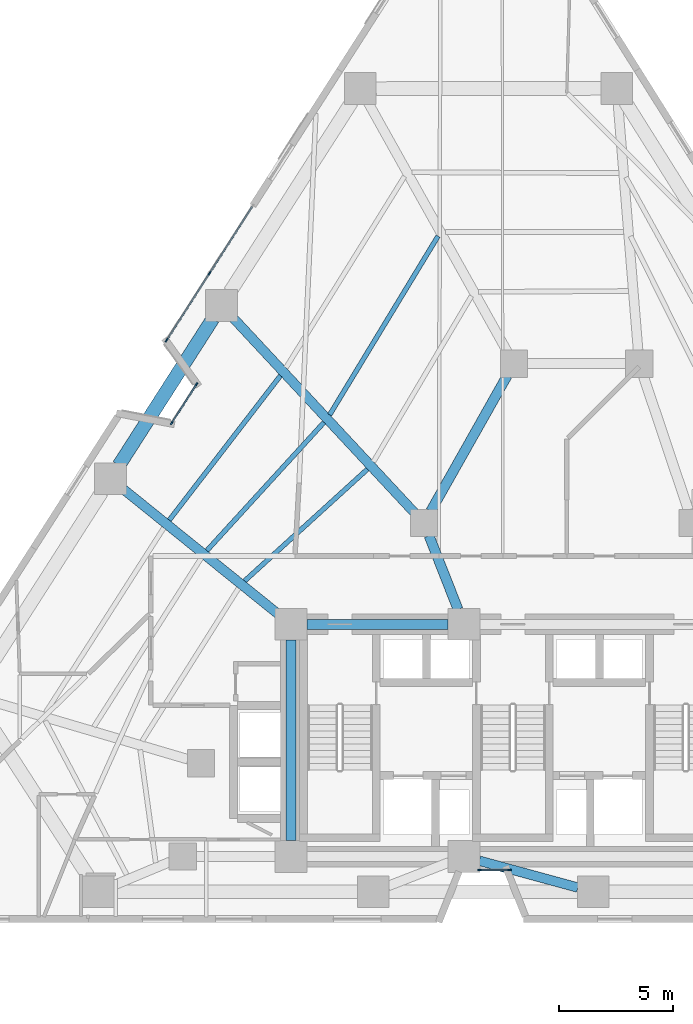
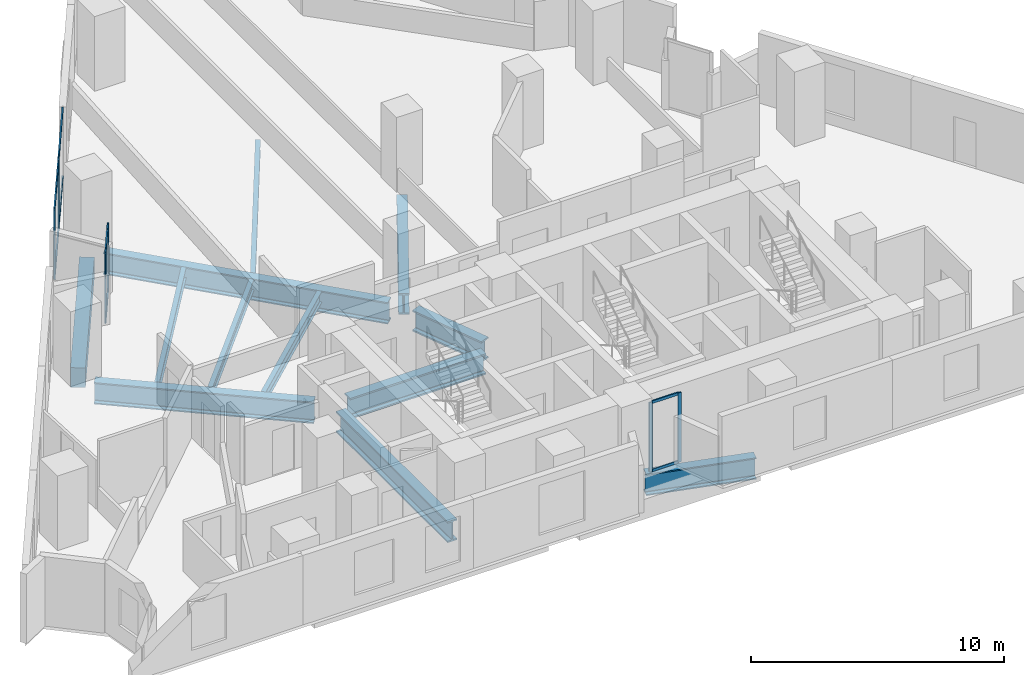
# One storey, part 2 of 12: 14 members, 12 beams, 3 elements without a shape of their own.
"""IFC4 building model written with IfcOpenShell, lengths in metres."""

from ifc_helpers import new_model, si_unit, direction, frame, origin, origin_2d, place, context, subcontext, project, spatial, rectangle, i_section, extrude, material, layer, layer_set, material_profile, profile_set, type_object, element, aggregate, save


model = new_model("IFC4")

# Units and contexts
model_context = context("Model", 3, precision=1e-05, world=origin(), true_north=direction((0.0, 1.0)))
body_context = subcontext(model_context, "Body", "Model", "MODEL_VIEW")
ifc_project = project(units=[si_unit("LENGTHUNIT", "METRE"), si_unit("AREAUNIT", "SQUARE_METRE"), si_unit("VOLUMEUNIT", "CUBIC_METRE"), si_unit("PLANEANGLEUNIT", "RADIAN"), si_unit("MASSUNIT", "GRAM", prefix="KILO")], contexts=[model_context])

# Site, building, storey
site_placement = place(None, origin())
site = spatial("IfcSite", under=ifc_project, at=site_placement, CompositionType="ELEMENT")
building_placement = place(site_placement, origin())
building = spatial("IfcBuilding", under=site, at=building_placement, Name="Almagre Mirador Tower", CompositionType="ELEMENT")
storey_placement = place(building_placement, frame((0.0, 0.0, 71.39990234375)))
storey = spatial("IfcBuildingStorey", under=building, at=storey_placement, Name="L17", CompositionType="ELEMENT", Elevation=71.39990234375)

# Beams
ifc_material_1 = material(Name="Steel ASTM A992 Grade 50", Category="steel")
ifc_material_profile_1 = material_profile(ifc_material_1, i_section(OverallWidth=0.208984375, OverallDepth=0.532958984375, WebThickness=0.01025390625, FlangeThickness=0.015625, FilletRadius=0.01806640625, at=origin_2d()), Name="W21X62")
ifc_profile_set_1 = profile_set([ifc_material_profile_1], Name="Steel ASTM A992 Grade 50")
beam_type_1 = type_object("IfcBeamType", Name="BM-JST-W21X62", PredefinedType="JOIST", material=ifc_profile_set_1)
beam_1_placement = place(storey_placement, frame((34.012939453125, 31.798828125, -0.516357421875), z_axis=(-0.51858522913, -0.855025941202, 0.0), x_axis=(0.855025941202, -0.51858522913, 0.0)))
element("IfcBeam", 1, at=beam_1_placement, inside=storey, type_object=beam_type_1, Name="L17 secondary floor joist PC09-PC10.2", PredefinedType="JOIST", context=body_context, shape_type="SweptSolid", body=[
    extrude(i_section(OverallWidth=0.208984375, OverallDepth=0.532958984375, WebThickness=0.01025390625, FlangeThickness=0.015625, FilletRadius=0.01806640625, at=origin_2d()), origin(), (0.0, 0.0, 1.0), 9.178955078125),
])
beam_2_placement = place(storey_placement, frame((27.093017578125, 25.672119140625, -0.516357421875), z_axis=(-0.610045173771, -0.792366636071, 0.0), x_axis=(0.792366636071, -0.610045173771, 0.0)))
element("IfcBeam", 2, at=beam_2_placement, inside=storey, type_object=beam_type_1, Name="L17 secondary floor joist PC10-PC11.1", PredefinedType="JOIST", context=body_context, shape_type="SweptSolid", body=[
    extrude(i_section(OverallWidth=0.208984375, OverallDepth=0.532958984375, WebThickness=0.01025390625, FlangeThickness=0.015625, FilletRadius=0.01806640625, at=origin_2d()), origin(), (0.0, 0.0, 1.0), 8.007568359375),
])
beam_3_placement = place(storey_placement, frame((29.0029296875, 23.6171875, -0.516357421875), z_axis=(-0.674525341374, -0.738251694102, 0.0), x_axis=(0.738251694102, -0.674525341374, 0.0)))
element("IfcBeam", 3, at=beam_3_placement, inside=storey, type_object=beam_type_1, Name="L17 secondary floor joist PC10-PC11.2", PredefinedType="JOIST", context=body_context, shape_type="SweptSolid", body=[
    extrude(i_section(OverallWidth=0.208984375, OverallDepth=0.532958984375, WebThickness=0.01025390625, FlangeThickness=0.015625, FilletRadius=0.01806640625, at=origin_2d()), origin(), (0.0, 0.0, 1.0), 7.6201171875),
])
beam_4_placement = place(storey_placement, frame((30.912841796875, 21.564453125, -0.516357421875), z_axis=(-0.739528010183, -0.673125784794, 0.0), x_axis=(0.673125784794, -0.739528010183, 0.0)))
element("IfcBeam", 4, at=beam_4_placement, inside=storey, type_object=beam_type_1, Name="L17 secondary floor joist PC10-PC11.3", PredefinedType="JOIST", context=body_context, shape_type="SweptSolid", body=[
    extrude(i_section(OverallWidth=0.208984375, OverallDepth=0.532958984375, WebThickness=0.01025390625, FlangeThickness=0.015625, FilletRadius=0.01806640625, at=origin_2d()), origin(), (0.0, 0.0, 1.0), 7.294677734375),
])
ifc_material_2 = material(Name="Precast concrete C50/60", Category="concrete")
ifc_material_profile_2 = material_profile(ifc_material_2, rectangle(XDim=0.60009765625, YDim=0.949951171875, at=origin_2d()), Name="RC600X950")
ifc_profile_set_2 = profile_set([ifc_material_profile_2], Name="Precast concrete C50/60")
beam_type_2 = type_object("IfcBeamType", Name="BM-SPN-RC600X950", PredefinedType="SPANDREL", material=ifc_profile_set_2)
beam_5_placement = place(storey_placement, frame((24.122314453125, 28.171630859375, -0.724853515625), z_axis=(-0.539486777129, -0.841994072012, 0.0), x_axis=(0.841994072012, -0.539486777129, 0.0)))
element("IfcBeam", 5, at=beam_5_placement, inside=storey, type_object=beam_type_2, Name="L17 perimeter spandrel beam PC10-PC11", PredefinedType="SPANDREL", context=body_context, shape_type="SweptSolid", body=[
    extrude(rectangle(XDim=0.60009765625, YDim=0.949951171875, at=origin_2d()), origin(), (0.0, 0.0, 1.0), 7.645263671875),
])
ifc_material_3 = material(Name="Steel ASTM A992 Grade 50", Category="steel")
ifc_material_profile_3 = material_profile(ifc_material_3, i_section(OverallWidth=0.43701171875, OverallDepth=1.010986328125, WebThickness=0.041015625, FlangeThickness=0.073974609375, FilletRadius=0.028076171875, at=origin_2d()), Name="W36X529")
ifc_profile_set_3 = profile_set([ifc_material_profile_3], Name="Steel ASTM A992 Grade 50")
beam_type_3 = type_object("IfcBeamType", Name="BM-STL-W36X529", PredefinedType="BEAM", material=ifc_profile_set_3)
beam_6_placement = place(storey_placement, frame((28.25, 14.75, -0.75537109375), z_axis=(1.0, 0.0, 0.0), x_axis=(0.0, 1.0, 0.0)))
element("IfcBeam", 6, at=beam_6_placement, inside=storey, type_object=beam_type_3, Name="L17 core tie girder CC4-CC5", PredefinedType="BEAM", context=body_context, shape_type="SweptSolid", body=[
    extrude(i_section(OverallWidth=0.43701171875, OverallDepth=1.010986328125, WebThickness=0.041015625, FlangeThickness=0.073974609375, FilletRadius=0.028076171875, at=origin_2d()), origin(), (0.0, 0.0, 1.0), 6.199951171875),
])
beam_7_placement = place(storey_placement, frame((27.550048828125, 5.25, -0.75537109375), z_axis=(0.0, 1.0, 0.0), x_axis=(-1.0, 0.0, 0.0)))
element("IfcBeam", 7, at=beam_7_placement, inside=storey, type_object=beam_type_3, Name="L17 core tie girder CC1-CC4", PredefinedType="BEAM", context=body_context, shape_type="SweptSolid", body=[
    extrude(i_section(OverallWidth=0.43701171875, OverallDepth=1.010986328125, WebThickness=0.041015625, FlangeThickness=0.073974609375, FilletRadius=0.028076171875, at=origin_2d()), origin(), (0.0, 0.0, 1.0), 8.800048828125),
])
beam_8_placement = place(storey_placement, frame((37.05517578125, 25.677490234375, -0.75537109375), z_axis=(-0.491440637516, -0.870911074564, 0.0), x_axis=(0.870911074564, -0.491440637516, 0.0)))
element("IfcBeam", 8, at=beam_8_placement, inside=storey, type_object=beam_type_3, Name="L17 core tie girder MC7-MC8", PredefinedType="BEAM", context=body_context, shape_type="SweptSolid", body=[
    extrude(i_section(OverallWidth=0.43701171875, OverallDepth=1.010986328125, WebThickness=0.041015625, FlangeThickness=0.073974609375, FilletRadius=0.028076171875, at=origin_2d()), origin(), (0.0, 0.0, 1.0), 6.837646484375),
])
beam_9_placement = place(storey_placement, frame((33.61962890625, 18.6416015625, -0.75537109375), z_axis=(0.365956076985, -0.93063212373, 0.0), x_axis=(0.93063212373, 0.365956076985, 0.0)))
element("IfcBeam", 9, at=beam_9_placement, inside=storey, type_object=beam_type_3, Name="L17 core tie girder MC8-CC5", PredefinedType="BEAM", context=body_context, shape_type="SweptSolid", body=[
    extrude(i_section(OverallWidth=0.43701171875, OverallDepth=1.010986328125, WebThickness=0.041015625, FlangeThickness=0.073974609375, FilletRadius=0.028076171875, at=origin_2d()), origin(), (0.0, 0.0, 1.0), 3.481689453125),
])
ifc_material_4 = material(Name="Steel ASTM A913 Grade 65", Category="steel")
ifc_material_profile_4 = material_profile(ifc_material_4, i_section(OverallWidth=0.4189453125, OverallDepth=1.041015625, WebThickness=0.031005859375, FlangeThickness=0.055908203125, FilletRadius=0.030029296875, at=origin_2d()), Name="W40X397")
ifc_profile_set_4 = profile_set([ifc_material_profile_4], Name="Steel ASTM A913 Grade 65")
beam_type_4 = type_object("IfcBeamType", Name="BM-STL-W40X397", PredefinedType="BEAM", material=ifc_profile_set_4)
beam_10_placement = place(storey_placement, frame((40.15673828125, 3.18408203125, -0.7705078125), z_axis=(-0.964746251324, 0.263181820336, 0.0), x_axis=(-0.263181820336, -0.964746251324, 0.0)))
element("IfcBeam", 10, at=beam_10_placement, inside=storey, type_object=beam_type_4, Name="L17 radial floor girder PC03-CC2", PredefinedType="BEAM", context=body_context, shape_type="SweptSolid", body=[
    extrude(i_section(OverallWidth=0.4189453125, OverallDepth=1.041015625, WebThickness=0.031005859375, FlangeThickness=0.055908203125, FilletRadius=0.030029296875, at=origin_2d()), origin(), (0.0, 0.0, 1.0), 4.48974609375),
])
beam_11_placement = place(storey_placement, frame((24.976806640625, 28.24853515625, -0.7705078125), z_axis=(0.681362933779, -0.731945730551, 0.0), x_axis=(0.731945730551, 0.681362933779, 0.0)))
element("IfcBeam", 11, at=beam_11_placement, inside=storey, type_object=beam_type_4, Name="L17 radial floor girder PC10-MC8", PredefinedType="BEAM", context=body_context, shape_type="SweptSolid", body=[
    extrude(i_section(OverallWidth=0.4189453125, OverallDepth=1.041015625, WebThickness=0.031005859375, FlangeThickness=0.055908203125, FilletRadius=0.030029296875, at=origin_2d()), origin(), (0.0, 0.0, 1.0), 11.76220703125),
])
beam_12_placement = place(storey_placement, frame((20.164794921875, 20.70556640625, -0.7705078125), z_axis=(0.778428805214, -0.627732901171, 0.0), x_axis=(0.627732901171, 0.778428805214, 0.0)))
element("IfcBeam", 12, at=beam_12_placement, inside=storey, type_object=beam_type_4, Name="L17 radial floor girder PC11-CC4", PredefinedType="BEAM", context=body_context, shape_type="SweptSolid", body=[
    extrude(i_section(OverallWidth=0.4189453125, OverallDepth=1.041015625, WebThickness=0.031005859375, FlangeThickness=0.055908203125, FilletRadius=0.030029296875, at=origin_2d()), origin(), (0.0, 0.0, 1.0), 8.787353515625),
])

# Curtain wall, members
ifc_material_5 = material(Name="Black anodized aluminium", Category="aluminium")
ifc_layer_1 = layer(ifc_material_5, 0.169921875)
ifc_layer_set_1 = layer_set([ifc_layer_1], Name="Black anodized aluminium")
curtain_wall_type_1 = type_object("IfcCurtainWallType", Name="CW-CRS-SYS", PredefinedType="NOTDEFINED", material=ifc_layer_set_1)
curtain_wall_1_placement = place(storey_placement, origin())
curtain_wall_1 = element("IfcCurtainWall", 13, at=curtain_wall_1_placement, inside=storey, type_object=curtain_wall_type_1, Name="L17 vertical crease curtain wall 01", PredefinedType="NOTDEFINED")
ifc_material_6 = material(Name="Black anodized aluminium", Category="aluminium")
ifc_material_profile_5 = material_profile(ifc_material_6, rectangle(XDim=0.06005859375, YDim=0.14990234375, at=origin_2d()), Name="CWM60X150")
ifc_profile_set_5 = profile_set([ifc_material_profile_5], Name="Black anodized aluminium")
member_type_1 = type_object("IfcMemberType", Name="MBR-CWM60X150", PredefinedType="MULLION", material=ifc_profile_set_5)
member_1_placement = place(storey_placement, frame((22.312255859375, 23.585205078125, 0.0), z_axis=(0.0, 0.0, 1.0), x_axis=(-0.841923718176, 0.539596564827, 0.0)))
member_1 = element("IfcMember", 14, at=member_1_placement, type_object=member_type_1, Name="CW-4 mullion 1", PredefinedType="MULLION", context=body_context, shape_type="SweptSolid", body=[
    extrude(rectangle(XDim=0.06005859375, YDim=0.14990234375, at=origin_2d()), origin(), (0.0, 0.0, 1.0), 3.35009765625),
])
member_2_placement = place(storey_placement, frame((23.40771484375, 25.294677734375, 0.0), z_axis=(0.0, 0.0, 1.0), x_axis=(-0.841923718176, 0.539596564827, 0.0)))
member_2 = element("IfcMember", 15, at=member_2_placement, type_object=member_type_1, Name="CW-4 mullion 2", PredefinedType="MULLION", context=body_context, shape_type="SweptSolid", body=[
    extrude(rectangle(XDim=0.06005859375, YDim=0.14990234375, at=origin_2d()), origin(), (0.0, 0.0, 1.0), 3.35009765625),
])

curtain_wall_2_placement = place(storey_placement, origin())
curtain_wall_2 = element("IfcCurtainWall", 16, at=curtain_wall_2_placement, inside=storey, type_object=curtain_wall_type_1, Name="L17 vertical crease curtain wall 04", PredefinedType="NOTDEFINED")
member_3_placement = place(storey_placement, frame((37.155029296875, 3.949951171875, 0.0), z_axis=(0.0, 0.0, 1.0), x_axis=(0.0, -1.0, 0.0)))
member_3 = element("IfcMember", 17, at=member_3_placement, type_object=member_type_1, Name="CW-4 mullion 1", PredefinedType="MULLION", context=body_context, shape_type="SweptSolid", body=[
    extrude(rectangle(XDim=0.06005859375, YDim=0.14990234375, at=origin_2d()), origin(), (0.0, 0.0, 1.0), 3.35009765625),
])
member_4_placement = place(storey_placement, frame((35.842041015625, 3.949951171875, 0.0), z_axis=(0.0, 0.0, 1.0), x_axis=(0.0, -1.0, 0.0)))
member_4 = element("IfcMember", 18, at=member_4_placement, type_object=member_type_1, Name="CW-4 mullion 2", PredefinedType="MULLION", context=body_context, shape_type="SweptSolid", body=[
    extrude(rectangle(XDim=0.06005859375, YDim=0.14990234375, at=origin_2d()), origin(), (0.0, 0.0, 1.0), 3.35009765625),
])

ifc_material_7 = material(Name="Black anodized aluminium", Category="aluminium")
ifc_layer_2 = layer(ifc_material_7, 0.18994140625)
ifc_layer_set_2 = layer_set([ifc_layer_2], Name="Black anodized aluminium")
curtain_wall_type_2 = type_object("IfcCurtainWallType", Name="CW-RES-L-SYS", PredefinedType="NOTDEFINED", material=ifc_layer_set_2)
curtain_wall_3_placement = place(storey_placement, origin())
curtain_wall_3 = element("IfcCurtainWall", 19, at=curtain_wall_3_placement, inside=storey, type_object=curtain_wall_type_2, Name="L17 curtain wall run 02", PredefinedType="NOTDEFINED")
ifc_material_8 = material(Name="Black anodized aluminium", Category="aluminium")
ifc_material_profile_6 = material_profile(ifc_material_8, rectangle(XDim=0.06494140625, YDim=0.179931640625, at=origin_2d()), Name="CWM65X180")
ifc_profile_set_6 = profile_set([ifc_material_profile_6], Name="Black anodized aluminium")
member_type_2 = type_object("IfcMemberType", Name="MBR-CWM65X180", PredefinedType="MULLION", material=ifc_profile_set_6)
member_5_placement = place(storey_placement, frame((22.092529296875, 27.227294921875, 0.0), z_axis=(0.0, 0.0, 1.0), x_axis=(-0.841971917675, 0.539521352541, 0.0)))
member_5 = element("IfcMember", 20, at=member_5_placement, type_object=member_type_2, Name="CW-2 mullion 1", PredefinedType="MULLION", context=body_context, shape_type="SweptSolid", body=[
    extrude(rectangle(XDim=0.06494140625, YDim=0.179931640625, at=origin_2d()), origin(), (0.0, 0.0, 1.0), 3.35009765625),
])
member_6_placement = place(storey_placement, frame((23.978271484375, 30.17041015625, 0.0), z_axis=(0.0, 0.0, 1.0), x_axis=(-0.841971917675, 0.539521352541, 0.0)))
member_6 = element("IfcMember", 21, at=member_6_placement, type_object=member_type_2, Name="CW-2 mullion 2", PredefinedType="MULLION", context=body_context, shape_type="SweptSolid", body=[
    extrude(rectangle(XDim=0.06494140625, YDim=0.179931640625, at=origin_2d()), origin(), (0.0, 0.0, 1.0), 3.35009765625),
])

# Member
ifc_material_9 = material(Name="Black anodized aluminium", Category="aluminium")
ifc_material_profile_7 = material_profile(ifc_material_9, rectangle(XDim=0.06005859375, YDim=0.1298828125, at=origin_2d()), Name="CWT60X130")
ifc_profile_set_7 = profile_set([ifc_material_profile_7], Name="Black anodized aluminium")
member_type_3 = type_object("IfcMemberType", Name="MBR-CWT60X130", PredefinedType="USERDEFINED", material=ifc_profile_set_7)
member_7_placement = place(storey_placement, frame((22.328369140625, 23.610595703125, 0.030029296875), z_axis=(0.539598560897, 0.841922438873, 0.0), x_axis=(-0.841922438873, 0.539598560897, 0.0)))
member_7 = element("IfcMember", 22, at=member_7_placement, type_object=member_type_3, Name="CW-4 transom 1.1", ObjectType="TRANSOM", PredefinedType="USERDEFINED", context=body_context, shape_type="SweptSolid", body=[
    extrude(rectangle(XDim=0.06005859375, YDim=0.1298828125, at=origin_2d()), origin(), (0.0, 0.0, 1.0), 1.970458984375),
])

member_8_placement = place(storey_placement, frame((22.328369140625, 23.610595703125, 3.320068359375), z_axis=(0.539598560897, 0.841922438873, 0.0), x_axis=(-0.841922438873, 0.539598560897, 0.0)))
member_8 = element("IfcMember", 23, at=member_8_placement, type_object=member_type_3, Name="CW-4 transom 1.2", ObjectType="TRANSOM", PredefinedType="USERDEFINED", context=body_context, shape_type="SweptSolid", body=[
    extrude(rectangle(XDim=0.06005859375, YDim=0.1298828125, at=origin_2d()), origin(), (0.0, 0.0, 1.0), 1.970458984375),
])

aggregate(curtain_wall_1, [member_1, member_2, member_7, member_8])

member_9_placement = place(storey_placement, frame((22.110107421875, 27.254638671875, 0.030029296875), z_axis=(0.539516078685, 0.841975297049, 0.0), x_axis=(-0.841975297049, 0.539516078685, 0.0)))
member_9 = element("IfcMember", 24, at=member_9_placement, type_object=member_type_3, Name="CW-2 transom 1.1", ObjectType="TRANSOM", PredefinedType="USERDEFINED", context=body_context, shape_type="SweptSolid", body=[
    extrude(rectangle(XDim=0.06005859375, YDim=0.1298828125, at=origin_2d()), origin(), (0.0, 0.0, 1.0), 3.430419921875),
])

member_10_placement = place(storey_placement, frame((22.110107421875, 27.254638671875, 3.320068359375), z_axis=(0.539516078685, 0.841975297049, 0.0), x_axis=(-0.841975297049, 0.539516078685, 0.0)))
member_10 = element("IfcMember", 25, at=member_10_placement, type_object=member_type_3, Name="CW-2 transom 1.2", ObjectType="TRANSOM", PredefinedType="USERDEFINED", context=body_context, shape_type="SweptSolid", body=[
    extrude(rectangle(XDim=0.06005859375, YDim=0.1298828125, at=origin_2d()), origin(), (0.0, 0.0, 1.0), 3.430419921875),
])

member_11_placement = place(storey_placement, frame((23.995849609375, 30.19775390625, 0.030029296875), z_axis=(0.539548408433, 0.841954580103, 0.0), x_axis=(-0.841954580103, 0.539548408433, 0.0)))
member_11 = element("IfcMember", 26, at=member_11_placement, type_object=member_type_3, Name="CW-2 transom 2.1", ObjectType="TRANSOM", PredefinedType="USERDEFINED", context=body_context, shape_type="SweptSolid", body=[
    extrude(rectangle(XDim=0.06005859375, YDim=0.1298828125, at=origin_2d()), origin(), (0.0, 0.0, 1.0), 3.430419921875),
])

member_12_placement = place(storey_placement, frame((23.995849609375, 30.19775390625, 3.320068359375), z_axis=(0.539548408433, 0.841954580103, 0.0), x_axis=(-0.841954580103, 0.539548408433, 0.0)))
member_12 = element("IfcMember", 27, at=member_12_placement, type_object=member_type_3, Name="CW-2 transom 2.2", ObjectType="TRANSOM", PredefinedType="USERDEFINED", context=body_context, shape_type="SweptSolid", body=[
    extrude(rectangle(XDim=0.06005859375, YDim=0.1298828125, at=origin_2d()), origin(), (0.0, 0.0, 1.0), 3.430419921875),
])

aggregate(curtain_wall_3, [member_5, member_6, member_9, member_10, member_11, member_12])

member_13_placement = place(storey_placement, frame((37.125, 3.949951171875, 0.030029296875), z_axis=(-1.0, 0.0, 0.0), x_axis=(0.0, -1.0, 0.0)))
member_13 = element("IfcMember", 28, at=member_13_placement, type_object=member_type_3, Name="CW-4 transom 1.1", ObjectType="TRANSOM", PredefinedType="USERDEFINED", context=body_context, shape_type="SweptSolid", body=[
    extrude(rectangle(XDim=0.06005859375, YDim=0.1298828125, at=origin_2d()), origin(), (0.0, 0.0, 1.0), 1.2529296875),
])

member_14_placement = place(storey_placement, frame((37.125, 3.949951171875, 3.320068359375), z_axis=(-1.0, 0.0, 0.0), x_axis=(0.0, -1.0, 0.0)))
member_14 = element("IfcMember", 29, at=member_14_placement, type_object=member_type_3, Name="CW-4 transom 1.2", ObjectType="TRANSOM", PredefinedType="USERDEFINED", context=body_context, shape_type="SweptSolid", body=[
    extrude(rectangle(XDim=0.06005859375, YDim=0.1298828125, at=origin_2d()), origin(), (0.0, 0.0, 1.0), 1.2529296875),
])

aggregate(curtain_wall_2, [member_3, member_4, member_13, member_14])

save(model, "model.ifc")
